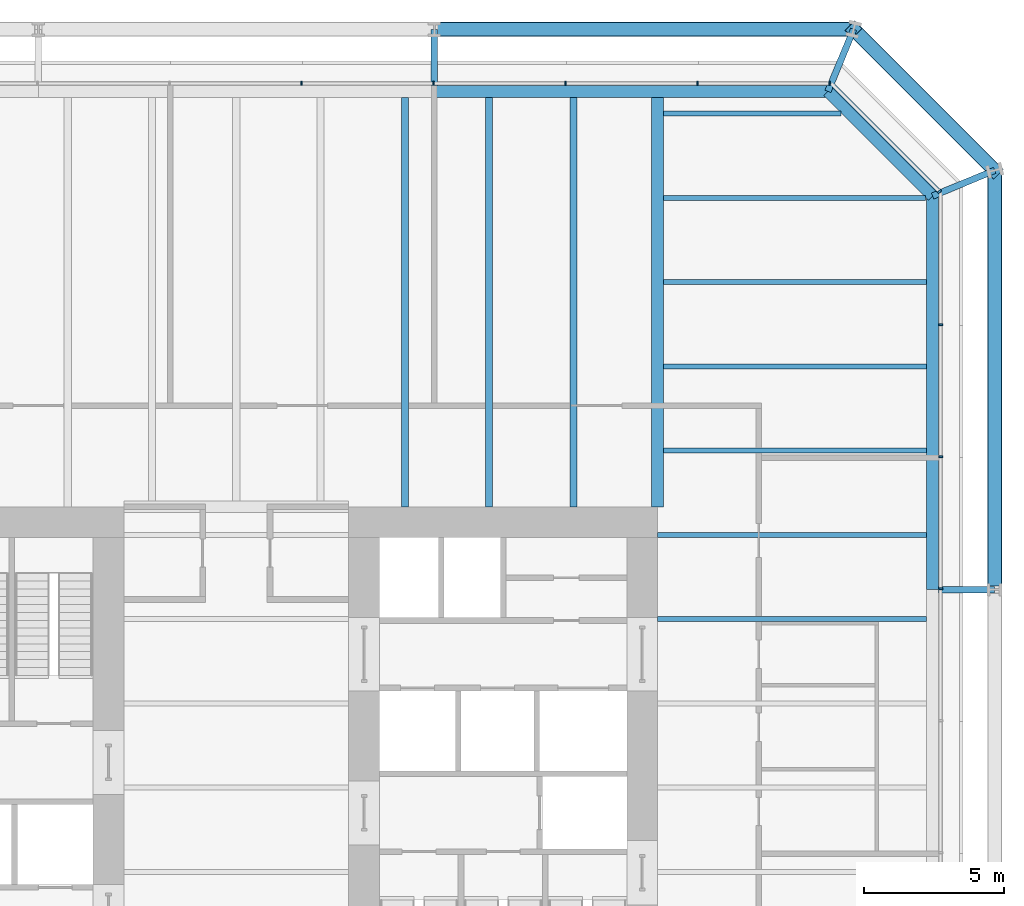
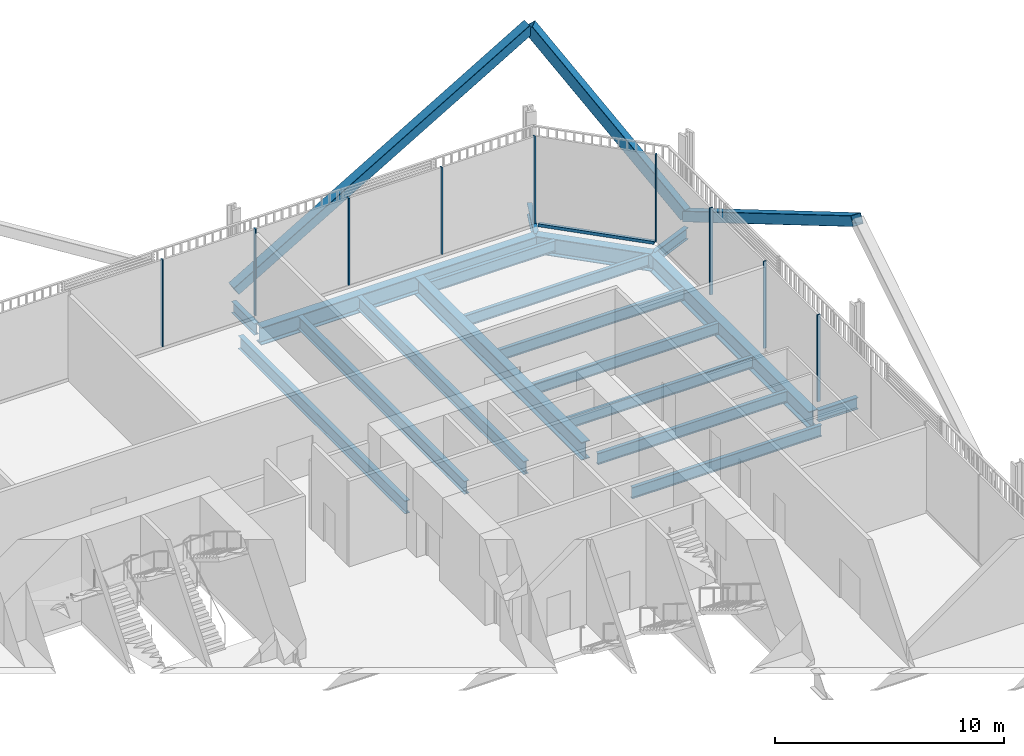
# One storey, part 16 of 22: 18 beams, 13 members, 3 elements without a shape of their own.
"""IFC4 building model written with IfcOpenShell, lengths in metres."""

from ifc_helpers import new_model, si_unit, direction, frame, origin, origin_2d, place, context, subcontext, project, spatial, rectangle, hollow_rectangle, i_section, extrude, material, layer, layer_set, material_profile, profile_set, type_object, element, aggregate, save


model = new_model("IFC4")

# Units and contexts
model_context = context("Model", 3, precision=1e-05, world=origin(), true_north=direction((0.0, 1.0)))
body_context = subcontext(model_context, "Body", "Model", "MODEL_VIEW")
ifc_project = project(units=[si_unit("LENGTHUNIT", "METRE"), si_unit("AREAUNIT", "SQUARE_METRE"), si_unit("VOLUMEUNIT", "CUBIC_METRE"), si_unit("PLANEANGLEUNIT", "RADIAN"), si_unit("MASSUNIT", "GRAM", prefix="KILO")], contexts=[model_context])

# Site, building, storey
site_placement = place(None, origin())
site = spatial("IfcSite", under=ifc_project, at=site_placement, CompositionType="ELEMENT")
building_placement = place(site_placement, origin())
building = spatial("IfcBuilding", under=site, at=building_placement, Name="Millrace Tower", CompositionType="ELEMENT")
storey_placement = place(building_placement, frame((0.0, 0.0, 35.300048828125)))
storey = spatial("IfcBuildingStorey", under=building, at=storey_placement, Name="L08", CompositionType="ELEMENT", Elevation=35.300048828125)

# Curtain wall, members
ifc_material_1 = material(Name="Aluminium and glass", Category="aluminium")
ifc_layer = layer(ifc_material_1, 0.14990234375)
ifc_layer_set = layer_set([ifc_layer], Name="Aluminium and glass")
curtain_wall_type = type_object("IfcCurtainWallType", Name="CW-2 data hall insulated curtain wall", PredefinedType="NOTDEFINED", material=ifc_layer_set)
placement = place(storey_placement, origin())
curtain_wall_1 = element("IfcCurtainWall", 1, at=placement, inside=storey, type_object=curtain_wall_type, Name="Curtain wall A-F04 L08", PredefinedType="NOTDEFINED")
ifc_material_2 = material(Name="Aluminium", Category="aluminium")
ifc_material_profile_1 = material_profile(ifc_material_2, rectangle(XDim=0.06494140625, YDim=0.14990234375, at=origin_2d()))
ifc_profile_set_1 = profile_set([ifc_material_profile_1], Name="Aluminium")
member_type_1 = type_object("IfcMemberType", Name="CW-2 data hall insulated curtain wall mullion", PredefinedType="MULLION", material=ifc_profile_set_1)
member_1_placement = place(storey_placement, frame((25.074951171875, 7.08251953125, 0.159912109375), z_axis=(0.0, 0.0, 1.0), x_axis=(0.0, 1.0, 0.0)))
member_1 = element("IfcMember", 2, at=member_1_placement, type_object=member_type_1, Name="CW2 mullion A-F04.7", PredefinedType="MULLION", context=body_context, shape_type="SweptSolid", body=[
    extrude(rectangle(XDim=0.06494140625, YDim=0.14990234375, at=origin_2d()), origin(), (0.0, 0.0, 1.0), 4.64013671875),
])
member_2_placement = place(storey_placement, frame((25.074951171875, 11.782470703125, 0.159912109375), z_axis=(0.0, 0.0, 1.0), x_axis=(0.0, 1.0, 0.0)))
member_2 = element("IfcMember", 3, at=member_2_placement, type_object=member_type_1, Name="CW2 mullion A-F04.8", PredefinedType="MULLION", context=body_context, shape_type="SweptSolid", body=[
    extrude(rectangle(XDim=0.06494140625, YDim=0.14990234375, at=origin_2d()), origin(), (0.0, 0.0, 1.0), 4.64013671875),
])
member_3_placement = place(storey_placement, frame((25.074951171875, 16.482421875, 0.159912109375), z_axis=(0.0, 0.0, 1.0), x_axis=(0.0, 1.0, 0.0)))
member_3 = element("IfcMember", 4, at=member_3_placement, type_object=member_type_1, Name="CW2 mullion A-F04.9", PredefinedType="MULLION", context=body_context, shape_type="SweptSolid", body=[
    extrude(rectangle(XDim=0.06494140625, YDim=0.14990234375, at=origin_2d()), origin(), (0.0, 0.0, 1.0), 4.64013671875),
])
aggregate(curtain_wall_1, [member_1, member_2, member_3])

# Curtain wall, member
curtain_wall_2 = element("IfcCurtainWall", 5, at=placement, inside=storey, type_object=curtain_wall_type, Name="Curtain wall A-F05 L08", PredefinedType="NOTDEFINED")
member_4_placement = place(storey_placement, frame((25.030029296875, 21.22607421875, 0.159912109375), z_axis=(0.0, 0.0, 1.0), x_axis=(-0.707106781187, 0.707106781187, 0.0)))
member_4 = element("IfcMember", 6, at=member_4_placement, type_object=member_type_1, Name="CW2 mullion A-F05.1", PredefinedType="MULLION", context=body_context, shape_type="SweptSolid", body=[
    extrude(rectangle(XDim=0.06494140625, YDim=0.14990234375, at=origin_2d()), origin(), (0.0, 0.0, 1.0), 4.64013671875),
])

# Curtain wall, members
curtain_wall_3 = element("IfcCurtainWall", 7, at=placement, inside=storey, type_object=curtain_wall_type, Name="Curtain wall A-F06 L08", PredefinedType="NOTDEFINED")
member_5_placement = place(storey_placement, frame((21.117431640625, 25.074951171875, 0.159912109375), z_axis=(0.0, 0.0, 1.0), x_axis=(-1.0, 0.0, 0.0)))
member_5 = element("IfcMember", 8, at=member_5_placement, type_object=member_type_1, Name="CW2 mullion A-F06.1", PredefinedType="MULLION", context=body_context, shape_type="SweptSolid", body=[
    extrude(rectangle(XDim=0.06494140625, YDim=0.14990234375, at=origin_2d()), origin(), (0.0, 0.0, 1.0), 4.64013671875),
])
member_6_placement = place(storey_placement, frame((16.41748046875, 25.074951171875, 0.159912109375), z_axis=(0.0, 0.0, 1.0), x_axis=(-1.0, 0.0, 0.0)))
member_6 = element("IfcMember", 9, at=member_6_placement, type_object=member_type_1, Name="CW2 mullion A-F06.2", PredefinedType="MULLION", context=body_context, shape_type="SweptSolid", body=[
    extrude(rectangle(XDim=0.06494140625, YDim=0.14990234375, at=origin_2d()), origin(), (0.0, 0.0, 1.0), 4.64013671875),
])
member_7_placement = place(storey_placement, frame((11.717529296875, 25.074951171875, 0.159912109375), z_axis=(0.0, 0.0, 1.0), x_axis=(-1.0, 0.0, 0.0)))
member_7 = element("IfcMember", 10, at=member_7_placement, type_object=member_type_1, Name="CW2 mullion A-F06.3", PredefinedType="MULLION", context=body_context, shape_type="SweptSolid", body=[
    extrude(rectangle(XDim=0.06494140625, YDim=0.14990234375, at=origin_2d()), origin(), (0.0, 0.0, 1.0), 4.64013671875),
])
member_8_placement = place(storey_placement, frame((7.017578125, 25.074951171875, 0.159912109375), z_axis=(0.0, 0.0, 1.0), x_axis=(-1.0, 0.0, 0.0)))
member_8 = element("IfcMember", 11, at=member_8_placement, type_object=member_type_1, Name="CW2 mullion A-F06.4", PredefinedType="MULLION", context=body_context, shape_type="SweptSolid", body=[
    extrude(rectangle(XDim=0.06494140625, YDim=0.14990234375, at=origin_2d()), origin(), (0.0, 0.0, 1.0), 4.64013671875),
])
member_9_placement = place(storey_placement, frame((2.3173828125, 25.074951171875, 0.159912109375), z_axis=(0.0, 0.0, 1.0), x_axis=(-1.0, 0.0, 0.0)))
member_9 = element("IfcMember", 12, at=member_9_placement, type_object=member_type_1, Name="CW2 mullion A-F06.5", PredefinedType="MULLION", context=body_context, shape_type="SweptSolid", body=[
    extrude(rectangle(XDim=0.06494140625, YDim=0.14990234375, at=origin_2d()), origin(), (0.0, 0.0, 1.0), 4.64013671875),
])
aggregate(curtain_wall_3, [member_5, member_6, member_7, member_8, member_9])

# Member
ifc_material_3 = material(Name="Aluminium", Category="aluminium")
ifc_material_profile_2 = material_profile(ifc_material_3, rectangle(XDim=0.14990234375, YDim=0.159912109375, at=origin_2d()))
ifc_profile_set_2 = profile_set([ifc_material_profile_2], Name="Aluminium")
member_type_2 = type_object("IfcMemberType", Name="CW-2 data hall insulated curtain wall transom", PredefinedType="USERDEFINED", material=ifc_profile_set_2)
member_10_placement = place(storey_placement, frame((24.982421875, 21.273681640625, 0.079833984375), z_axis=(-0.707106781187, 0.707106781187, 0.0), x_axis=(-0.707106781187, -0.707106781187, 0.0)))
member_10 = element("IfcMember", 13, at=member_10_placement, type_object=member_type_2, Name="CW2 transom A-F05.1", ObjectType="TRANSOM", PredefinedType="USERDEFINED", context=body_context, shape_type="SweptSolid", body=[
    extrude(rectangle(XDim=0.14990234375, YDim=0.159912109375, at=origin_2d()), origin(), (0.0, 0.0, 1.0), 5.244873046875),
])

aggregate(curtain_wall_2, [member_4, member_10])

# Members
ifc_material_4 = material(Name="Steel ASTM A500 Grade C", Category="steel")
ifc_material_profile_3 = material_profile(ifc_material_4, hollow_rectangle(XDim=0.508056640625, YDim=0.508056640625, WallThickness=0.01904296875, InnerFilletRadius=0.009521484375, OuterFilletRadius=0.028564453125, at=origin_2d()))
ifc_profile_set_3 = profile_set([ifc_material_profile_3], Name="Steel ASTM A500 Grade C")
member_type_3 = type_object("IfcMemberType", Name="Exoskeleton brace HSS20x20x3/4", PredefinedType="BRACE", material=ifc_profile_set_3)
member_11_placement = place(storey_placement, frame((27.0, 21.978515625, 0.39990234375), z_axis=(0.0, -0.861464835883, 0.507817227491), x_axis=(1.0, 0.0, 0.0)))
element("IfcMember", 14, at=member_11_placement, inside=storey, type_object=member_type_3, Name="BRC-A-L08-08", PredefinedType="BRACE", context=body_context, shape_type="SweptSolid", body=[
    extrude(hollow_rectangle(XDim=0.508056640625, YDim=0.508056640625, WallThickness=0.01904296875, InnerFilletRadius=0.009521484375, OuterFilletRadius=0.028564453125, at=origin_2d()), origin(), (0.0, 0.0, 1.0), 17.3291015625),
])
member_12_placement = place(storey_placement, frame((27.0, 21.978515625, 0.39990234375), z_axis=(-0.444063713793, 0.444063713793, 0.77821259061), x_axis=(-0.707106781187, -0.707106781187, 0.0)))
element("IfcMember", 15, at=member_12_placement, inside=storey, type_object=member_type_3, Name="BRC-A-L08-09", PredefinedType="BRACE", context=body_context, shape_type="SweptSolid", body=[
    extrude(hollow_rectangle(XDim=0.508056640625, YDim=0.508056640625, WallThickness=0.01904296875, InnerFilletRadius=0.009521484375, OuterFilletRadius=0.028564453125, at=origin_2d()), origin(), (0.0, 0.0, 1.0), 11.30810546875),
])
member_13_placement = place(storey_placement, frame((7.050048828125, 27.0, 0.39990234375), z_axis=(0.861464835883, 0.0, 0.507817227491), x_axis=(0.0, 1.0, 0.0)))
element("IfcMember", 16, at=member_13_placement, inside=storey, type_object=member_type_3, Name="BRC-A-L08-10", PredefinedType="BRACE", context=body_context, shape_type="SweptSolid", body=[
    extrude(hollow_rectangle(XDim=0.508056640625, YDim=0.508056640625, WallThickness=0.01904296875, InnerFilletRadius=0.009521484375, OuterFilletRadius=0.028564453125, at=origin_2d()), origin(), (0.0, 0.0, 1.0), 17.3291015625),
])

# Beams
ifc_material_5 = material(Name="Steel ASTM A992 Grade 50", Category="steel")
ifc_material_profile_4 = material_profile(ifc_material_5, i_section(OverallWidth=0.177978515625, OverallDepth=0.599365234375, WebThickness=0.010009765625, FlangeThickness=0.012939453125, FilletRadius=0.012939453125, at=origin_2d()))
ifc_profile_set_4 = profile_set([ifc_material_profile_4], Name="Steel ASTM A992 Grade 50")
beam_type_1 = type_object("IfcBeamType", Name="Floor beam W24x55", PredefinedType="JOIST", material=ifc_profile_set_4)
beam_1_placement = place(storey_placement, frame((15.212158203125, 24.0, -0.524658203125), z_axis=(1.0, 0.0, 0.0), x_axis=(0.0, 1.0, 0.0)))
element("IfcBeam", 17, at=beam_1_placement, inside=storey, type_object=beam_type_1, Name="BM-A-L08-S1-S041", PredefinedType="JOIST", context=body_context, shape_type="SweptSolid", body=[
    extrude(i_section(OverallWidth=0.177978515625, OverallDepth=0.599365234375, WebThickness=0.010009765625, FlangeThickness=0.012939453125, FilletRadius=0.012939453125, at=origin_2d()), origin(), (0.0, 0.0, 1.0), 6.317626953125),
])
ifc_material_6 = material(Name="Steel ASTM A992 Grade 50", Category="steel")
ifc_material_profile_5 = material_profile(ifc_material_6, i_section(OverallWidth=0.1787109375, OverallDepth=0.60205078125, WebThickness=0.010986328125, FlangeThickness=0.014892578125, FilletRadius=0.0126953125, at=origin_2d()))
ifc_profile_set_5 = profile_set([ifc_material_profile_5], Name="Steel ASTM A992 Grade 50")
beam_type_2 = type_object("IfcBeamType", Name="Floor beam W24x62", PredefinedType="JOIST", material=ifc_profile_set_5)
for number, where, z_axis, x_axis, name in (
    (18, (15.0, 6.0, -0.526123046875), (1.0, 0.0, 0.0), (0.0, 1.0, 0.0), "BM-A-L08-S1-S028"),
    (19, (15.0, 9.0, -0.526123046875), (1.0, 0.0, 0.0), (0.0, 1.0, 0.0), "BM-A-L08-S1-S031"),
):
    element("IfcBeam", number, at=place(storey_placement, frame(where, z_axis=z_axis, x_axis=x_axis)), inside=storey, type_object=beam_type_2, Name=name, PredefinedType="JOIST", context=body_context, shape_type="SweptSolid", body=[
        extrude(i_section(OverallWidth=0.1787109375, OverallDepth=0.60205078125, WebThickness=0.010986328125, FlangeThickness=0.014892578125, FilletRadius=0.0126953125, at=origin_2d()), origin(), (0.0, 0.0, 1.0), 9.578369140625),
    ])
for number, where, z_axis, x_axis, name in (
    (20, (15.212158203125, 12.0, -0.526123046875), (1.0, 0.0, 0.0), (0.0, 1.0, 0.0), "BM-A-L08-S1-S033"),
    (21, (15.212158203125, 15.0, -0.526123046875), (1.0, 0.0, 0.0), (0.0, 1.0, 0.0), "BM-A-L08-S1-S035"),
    (22, (15.212158203125, 18.0, -0.526123046875), (1.0, 0.0, 0.0), (0.0, 1.0, 0.0), "BM-A-L08-S1-S037"),
):
    element("IfcBeam", number, at=place(storey_placement, frame(where, z_axis=z_axis, x_axis=x_axis)), inside=storey, type_object=beam_type_2, Name=name, PredefinedType="JOIST", context=body_context, shape_type="SweptSolid", body=[
        extrude(i_section(OverallWidth=0.1787109375, OverallDepth=0.60205078125, WebThickness=0.010986328125, FlangeThickness=0.014892578125, FilletRadius=0.0126953125, at=origin_2d()), origin(), (0.0, 0.0, 1.0), 9.3662109375),
    ])
beam_2_placement = place(storey_placement, frame((15.212158203125, 21.0, -0.526123046875), z_axis=(1.0, 0.0, 0.0), x_axis=(0.0, 1.0, 0.0)))
element("IfcBeam", 23, at=beam_2_placement, inside=storey, type_object=beam_type_2, Name="BM-A-L08-S1-S039", PredefinedType="JOIST", context=body_context, shape_type="SweptSolid", body=[
    extrude(i_section(OverallWidth=0.1787109375, OverallDepth=0.60205078125, WebThickness=0.010986328125, FlangeThickness=0.014892578125, FilletRadius=0.0126953125, at=origin_2d()), origin(), (0.0, 0.0, 1.0), 9.317626953125),
])
ifc_material_7 = material(Name="Steel ASTM A992 Grade 50", Category="steel")
ifc_material_profile_6 = material_profile(ifc_material_7, i_section(OverallWidth=0.256591796875, OverallDepth=0.693359375, WebThickness=0.014404296875, FlangeThickness=0.023681640625, FilletRadius=0.01513671875, at=origin_2d()))
ifc_profile_set_6 = profile_set([ifc_material_profile_6], Name="Steel ASTM A992 Grade 50")
beam_type_3 = type_object("IfcBeamType", Name="Floor beam W27x114", PredefinedType="JOIST", material=ifc_profile_set_6)
for number, where, z_axis, x_axis, name in (
    (24, (6.0, 10.0, -0.57177734375), (0.0, 1.0, 0.0), (-1.0, 0.0, 0.0), "BM-A-L08-S1-S054"),
    (25, (9.0, 10.0, -0.57177734375), (0.0, 1.0, 0.0), (-1.0, 0.0, 0.0), "BM-A-L08-S1-S056"),
    (26, (12.0, 10.0, -0.57177734375), (0.0, 1.0, 0.0), (-1.0, 0.0, 0.0), "BM-A-L08-S1-S058"),
):
    element("IfcBeam", number, at=place(storey_placement, frame(where, z_axis=z_axis, x_axis=x_axis)), inside=storey, type_object=beam_type_3, Name=name, PredefinedType="JOIST", context=body_context, shape_type="SweptSolid", body=[
        extrude(i_section(OverallWidth=0.256591796875, OverallDepth=0.693359375, WebThickness=0.014404296875, FlangeThickness=0.023681640625, FilletRadius=0.01513671875, at=origin_2d()), origin(), (0.0, 0.0, 1.0), 14.578369140625),
    ])
ifc_material_8 = material(Name="Steel ASTM A992 Grade 50", Category="steel")
ifc_material_profile_7 = material_profile(ifc_material_8, i_section(OverallWidth=0.424072265625, OverallDepth=0.947509765625, WebThickness=0.02392578125, FlangeThickness=0.042724609375, FilletRadius=0.024169921875, at=origin_2d()))
ifc_profile_set_7 = profile_set([ifc_material_profile_7], Name="Steel ASTM A992 Grade 50")
beam_type_4 = type_object("IfcBeamType", Name="Girder medium span W36x302", PredefinedType="BEAM", material=ifc_profile_set_7)
beam_3_placement = place(storey_placement, frame((15.0, 10.0, -0.69873046875), z_axis=(0.0, 1.0, 0.0), x_axis=(-1.0, 0.0, 0.0)))
element("IfcBeam", 27, at=beam_3_placement, inside=storey, type_object=beam_type_4, Name="BM-A-L08-S1-G062", PredefinedType="BEAM", context=body_context, shape_type="SweptSolid", body=[
    extrude(i_section(OverallWidth=0.424072265625, OverallDepth=0.947509765625, WebThickness=0.02392578125, FlangeThickness=0.042724609375, FilletRadius=0.024169921875, at=origin_2d()), origin(), (0.0, 0.0, 1.0), 14.578369140625),
])
ifc_material_9 = material(Name="Steel ASTM A992 Grade 50", Category="steel")
ifc_material_profile_8 = material_profile(ifc_material_9, i_section(OverallWidth=0.23046875, OverallDepth=0.6171875, WebThickness=0.01318359375, FlangeThickness=0.022216796875, FilletRadius=0.012939453125, at=origin_2d()))
ifc_profile_set_8 = profile_set([ifc_material_profile_8], Name="Steel ASTM A992 Grade 50")
beam_type_5 = type_object("IfcBeamType", Name="Link beam W24x94", PredefinedType="BEAM", material=ifc_profile_set_8)
beam_4_placement = place(storey_placement, frame((7.050048828125, 25.0, -0.53369140625), z_axis=(0.0, 1.0, 0.0), x_axis=(-1.0, 0.0, 0.0)))
element("IfcBeam", 28, at=beam_4_placement, inside=storey, type_object=beam_type_5, Name="LNK-A-L08-S1-07", PredefinedType="BEAM", context=body_context, shape_type="SweptSolid", body=[
    extrude(i_section(OverallWidth=0.23046875, OverallDepth=0.6171875, WebThickness=0.01318359375, FlangeThickness=0.022216796875, FilletRadius=0.012939453125, at=origin_2d()), origin(), (0.0, 0.0, 1.0), 2.0),
])
for number, where, z_axis, x_axis, name in (
    (29, (21.062744140625, 24.7890625, -0.53369140625), (0.382673155247, 0.923883789366, 0.0), (-0.923883789366, 0.382673155247, 0.0), "LNK-A-L08-S1-08"),
    (30, (24.7890625, 21.062744140625, -0.53369140625), (0.923883789366, 0.382673155247, 0.0), (-0.382673155247, 0.923883789366, 0.0), "LNK-A-L08-S1-09"),
):
    element("IfcBeam", number, at=place(storey_placement, frame(where, z_axis=z_axis, x_axis=x_axis)), inside=storey, type_object=beam_type_5, Name=name, PredefinedType="BEAM", context=body_context, shape_type="SweptSolid", body=[
        extrude(i_section(OverallWidth=0.23046875, OverallDepth=0.6171875, WebThickness=0.01318359375, FlangeThickness=0.022216796875, FilletRadius=0.012939453125, at=origin_2d()), origin(), (0.0, 0.0, 1.0), 2.39306640625),
    ])
beam_5_placement = place(storey_placement, frame((25.0, 7.050048828125, -0.53369140625), z_axis=(1.0, 0.0, 0.0), x_axis=(0.0, 1.0, 0.0)))
element("IfcBeam", 31, at=beam_5_placement, inside=storey, type_object=beam_type_5, Name="LNK-A-L08-S1-10", PredefinedType="BEAM", context=body_context, shape_type="SweptSolid", body=[
    extrude(i_section(OverallWidth=0.23046875, OverallDepth=0.6171875, WebThickness=0.01318359375, FlangeThickness=0.022216796875, FilletRadius=0.012939453125, at=origin_2d()), origin(), (0.0, 0.0, 1.0), 2.0),
])
ifc_material_10 = material(Name="Steel ASTM A992 Grade 50", Category="steel")
ifc_material_profile_9 = material_profile(ifc_material_10, i_section(OverallWidth=0.421630859375, OverallDepth=0.937255859375, WebThickness=0.021240234375, FlangeThickness=0.03662109375, FilletRadius=0.024169921875, at=origin_2d()))
ifc_profile_set_9 = profile_set([ifc_material_profile_9], Name="Steel ASTM A992 Grade 50")
beam_type_6 = type_object("IfcBeamType", Name="Ring beam medium span W36x262", PredefinedType="SPANDREL", material=ifc_profile_set_9)
for number, where, z_axis, x_axis, name in (
    (32, (7.050048828125, 24.7890625, -0.693603515625), (1.0, 0.0, 0.0), (0.0, 1.0, 0.0), "RNG-A-L08-S1-07"),
    (33, (24.7890625, 21.062744140625, -0.693603515625), (0.0, -1.0, 0.0), (1.0, 0.0, 0.0), "RNG-A-L08-S1-09"),
):
    element("IfcBeam", number, at=place(storey_placement, frame(where, z_axis=z_axis, x_axis=x_axis)), inside=storey, type_object=beam_type_6, Name=name, PredefinedType="SPANDREL", context=body_context, shape_type="SweptSolid", body=[
        extrude(i_section(OverallWidth=0.421630859375, OverallDepth=0.937255859375, WebThickness=0.021240234375, FlangeThickness=0.03662109375, FilletRadius=0.024169921875, at=origin_2d()), origin(), (0.0, 0.0, 1.0), 14.0126953125),
    ])
ifc_material_11 = material(Name="Steel ASTM A992 Grade 50", Category="steel")
ifc_material_profile_10 = material_profile(ifc_material_11, i_section(OverallWidth=0.421630859375, OverallDepth=0.937255859375, WebThickness=0.021240234375, FlangeThickness=0.03662109375, FilletRadius=0.024169921875, at=origin_2d()))
ifc_profile_set_10 = profile_set([ifc_material_profile_10], Name="Steel ASTM A992 Grade 50")
beam_type_7 = type_object("IfcBeamType", Name="Ring beam short span W36x262", PredefinedType="SPANDREL", material=ifc_profile_set_10)
beam_6_placement = place(storey_placement, frame((21.062744140625, 24.7890625, -0.693603515625), z_axis=(0.707106781187, -0.707106781187, 0.0), x_axis=(0.707106781187, 0.707106781187, 0.0)))
element("IfcBeam", 34, at=beam_6_placement, inside=storey, type_object=beam_type_7, Name="RNG-A-L08-S1-08", PredefinedType="SPANDREL", context=body_context, shape_type="SweptSolid", body=[
    extrude(i_section(OverallWidth=0.421630859375, OverallDepth=0.937255859375, WebThickness=0.021240234375, FlangeThickness=0.03662109375, FilletRadius=0.024169921875, at=origin_2d()), origin(), (0.0, 0.0, 1.0), 5.269775390625),
])

save(model, "model.ifc")
